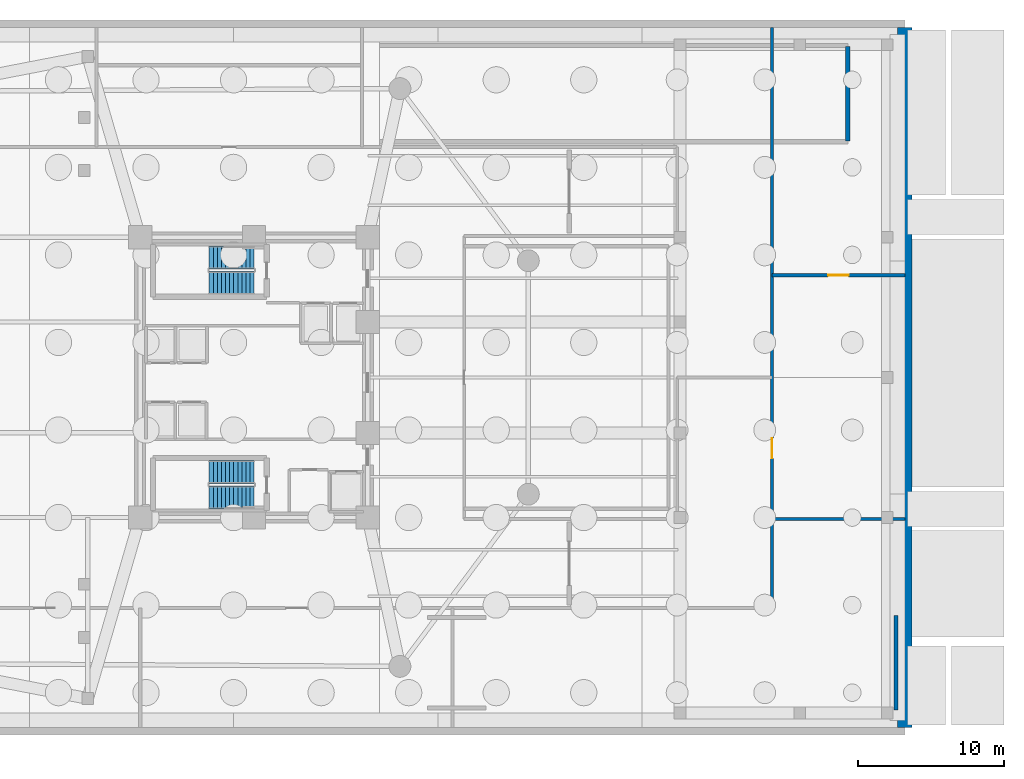
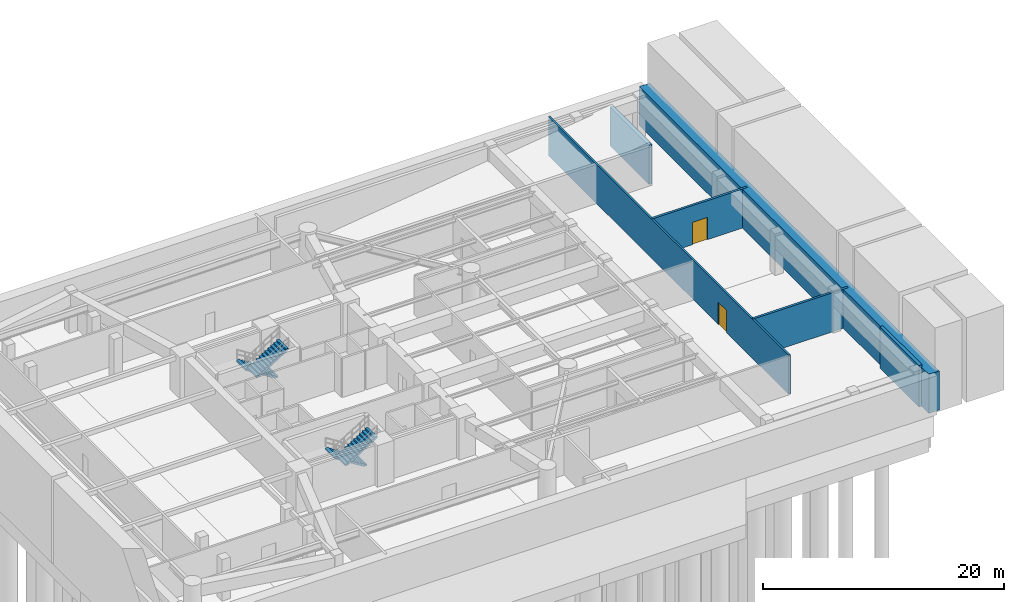
# One storey, part 6 of 8: 6 walls, 4 stair flights, 2 doors, 2 openings, 2 elements without a shape of their own.
"""IFC4 building model written with IfcOpenShell, lengths in metres."""

from ifc_helpers import new_model, si_unit, direction, frame, frame_2d, origin, place, context, subcontext, project, spatial, polyline, rectangle, outline, extrude, material, layer, layer_set, type_object, element, fill, aggregate, save


model = new_model("IFC4")

# Units and contexts
model_context = context("Model", 3, precision=1e-05, world=origin(), true_north=direction((0.0, 1.0)))
body_context = subcontext(model_context, "Body", "Model", "MODEL_VIEW")
ifc_project = project(units=[si_unit("LENGTHUNIT", "METRE"), si_unit("AREAUNIT", "SQUARE_METRE"), si_unit("VOLUMEUNIT", "CUBIC_METRE"), si_unit("PLANEANGLEUNIT", "RADIAN"), si_unit("MASSUNIT", "GRAM", prefix="KILO")], contexts=[model_context])

# Site, building, storey
site_placement = place(None, origin())
site = spatial("IfcSite", under=ifc_project, at=site_placement, CompositionType="ELEMENT")
building_placement = place(site_placement, origin())
building = spatial("IfcBuilding", under=site, at=building_placement, Name="An Khanh Terracotta Commons", CompositionType="ELEMENT")
storey_placement = place(building_placement, frame((0.0, 0.0, -8.39990234375)))
storey = spatial("IfcBuildingStorey", under=building, at=storey_placement, Name="B02", CompositionType="ELEMENT", Elevation=-8.39990234375)

# Wall, opening, door
ifc_material_1 = material(Name="Fire-Rated Gypsum Board on Steel Stud", Category="steel")
ifc_layer_1 = layer(ifc_material_1, 0.179931640625, Name="Fire-Rated Gypsum Board on Steel Stud")
ifc_layer_set_1 = layer_set([ifc_layer_1], Name="Fire-Rated Gypsum Board on Steel Stud")
wall_type_1 = type_object("IfcWallType", Name="WALL-CORR-180", PredefinedType="PARTITIONING", material=ifc_layer_set_1)
wall_1_placement = place(storey_placement, frame((64.89990234375, 8.199951171875, 0.0), z_axis=(0.0, 0.0, 1.0), x_axis=(0.0, 1.0, 0.0)))
wall_1 = element("IfcWall", 1, at=wall_1_placement, inside=storey, type_object=wall_type_1, Name="B02 Interior Partition IW-B02-E022", PredefinedType="PARTITIONING", context=body_context, shape_type="SweptSolid", body=[
    extrude(rectangle(XDim=39.800048828125, YDim=0.179931640625, at=frame_2d((19.89990234375, 0.0))), origin(), (0.0, 0.0, 1.0), 3.949951171875),
])
opening_1_placement = place(wall_1_placement, frame((10.25, 0.0, 0.0)))
opening_1 = element("IfcOpeningElement", 2, at=opening_1_placement, cuts=wall_1, Name="Opening D-PL", PredefinedType="OPENING", context=body_context, shape_type="SweptSolid", body=[
    extrude(rectangle(XDim=1.39990234375, YDim=2.25, at=frame_2d((0.699951171875, 1.125))), frame((0.0, 0.099853515625, 0.0), z_axis=(0.0, -1.0, 0.0), x_axis=(1.0, 0.0, 0.0)), (0.0, 0.0, 1.0), 0.199951171875),
])
ifc_material_2 = material(Name="Heavy-Duty Acoustic Steel Double Plant Door", Category="steel")
door_type = type_object("IfcDoorType", Name="DOOR-PLANT-1400", OperationType="NOTDEFINED", PredefinedType="DOOR", material=ifc_material_2)
door_1_placement = place(opening_1_placement, origin())
door_1 = element("IfcDoor", 3, at=door_1_placement, inside=storey, type_object=door_type, Name="B02 PMP Fire Sprinkler and Booster Pump Room Door", OperationType="DOUBLE_DOOR_SINGLE_SWING", OverallHeight=2.25, OverallWidth=1.39990234375, PredefinedType="DOOR", context=body_context, shape_type="SweptSolid", body=[
    extrude(rectangle(XDim=1.39990234375, YDim=2.25, at=frame_2d((0.699951171875, 1.125))), frame((0.0, 0.02490234375, 0.0), z_axis=(0.0, -1.0, 0.0), x_axis=(1.0, 0.0, 0.0)), (0.0, 0.0, 1.0), 0.050048828125),
])
fill(opening_1, door_1)

# Walls
ifc_material_3 = material(Name="Concrete C50/60", Category="concrete")
ifc_layer_2 = layer(ifc_material_3, 1.0, Name="Concrete C50/60")
ifc_layer_set_2 = layer_set([ifc_layer_2], Name="Concrete C50/60")
wall_type_2 = type_object("IfcWallType", Name="WALL-DIAPH-1000", PredefinedType="SOLIDWALL", material=ifc_layer_set_2)
wall_2_placement = place(storey_placement, frame((74.0, 0.0, 0.0), z_axis=(0.0, 0.0, 1.0), x_axis=(0.0, 1.0, 0.0)))
element("IfcWall", 4, at=wall_2_placement, inside=storey, type_object=wall_type_2, Name="B02 Perimeter Diaphragm Wall 2", PredefinedType="SOLIDWALL", context=body_context, shape_type="SweptSolid", body=[
    extrude(rectangle(XDim=48.0, YDim=1.0, at=frame_2d((24.0, 0.0))), origin(), (0.0, 0.0, 1.0), 3.949951171875),
])
ifc_material_4 = material(Name="Acoustic Double-Stud Gypsum and Mineral Wool")
ifc_layer_3 = layer(ifc_material_4, 0.219970703125, Name="Acoustic Double-Stud Gypsum and Mineral Wool")
ifc_layer_set_3 = layer_set([ifc_layer_3], Name="Acoustic Double-Stud Gypsum and Mineral Wool")
wall_type_3 = type_object("IfcWallType", Name="WALL-PARTY-220", PredefinedType="PARTITIONING", material=ifc_layer_set_3)
wall_3_placement = place(storey_placement, frame((64.89990234375, 14.300048828125, 0.0), z_axis=(0.0, 0.0, 1.0), x_axis=(1.0, 0.0, 0.0)))
element("IfcWall", 5, at=wall_3_placement, inside=storey, type_object=wall_type_3, Name="B02 Interior Partition IW-B02-E004", PredefinedType="PARTITIONING", context=body_context, shape_type="SweptSolid", body=[
    extrude(rectangle(XDim=9.10009765625, YDim=0.219970703125, at=frame_2d((4.550048828125, 0.0))), origin(), (0.0, 0.0, 1.0), 3.949951171875),
])

# Wall, opening, door
wall_4_placement = place(storey_placement, frame((64.89990234375, 31.0, 0.0), z_axis=(0.0, 0.0, 1.0), x_axis=(1.0, 0.0, 0.0)))
wall_4 = element("IfcWall", 6, at=wall_4_placement, inside=storey, type_object=wall_type_3, Name="B02 Interior Partition IW-B02-E007", PredefinedType="PARTITIONING", context=body_context, shape_type="SweptSolid", body=[
    extrude(rectangle(XDim=9.10009765625, YDim=0.219970703125, at=frame_2d((4.550048828125, 0.0))), origin(), (0.0, 0.0, 1.0), 3.949951171875),
])
opening_2_placement = place(wall_4_placement, frame((3.85009765625, 0.0, 0.0)))
opening_2 = element("IfcOpeningElement", 7, at=opening_2_placement, cuts=wall_4, Name="Opening D-PL", PredefinedType="OPENING", context=body_context, shape_type="SweptSolid", body=[
    extrude(rectangle(XDim=1.39990234375, YDim=2.25, at=frame_2d((0.699951171875, 1.125))), frame((0.0, 0.119873046875, 0.0), z_axis=(0.0, -1.0, 0.0), x_axis=(1.0, 0.0, 0.0)), (0.0, 0.0, 1.0), 0.239990234375),
])
door_2_placement = place(opening_2_placement, origin())
door_2 = element("IfcDoor", 8, at=door_2_placement, inside=storey, type_object=door_type, Name="B02 CHL Basement Chiller and Attenuation Plant Room Door", OperationType="DOUBLE_DOOR_SINGLE_SWING", OverallHeight=2.25, OverallWidth=1.39990234375, PredefinedType="DOOR", context=body_context, shape_type="SweptSolid", body=[
    extrude(rectangle(XDim=1.39990234375, YDim=2.25, at=frame_2d((0.699951171875, 1.125))), frame((0.0, 0.02490234375, 0.0), z_axis=(0.0, -1.0, 0.0), x_axis=(1.0, 0.0, 0.0)), (0.0, 0.0, 1.0), 0.050048828125),
])
fill(opening_2, door_2)

# Walls
ifc_material_5 = material(Name="Concrete C40/50", Category="concrete")
ifc_layer_4 = layer(ifc_material_5, 0.300048828125, Name="Concrete C40/50")
ifc_layer_set_4 = layer_set([ifc_layer_4], Name="Concrete C40/50")
wall_type_4 = type_object("IfcWallType", Name="WALL-RAMP-300", PredefinedType="SOLIDWALL", material=ifc_layer_set_4)
wall_5_placement = place(storey_placement, frame((70.10009765625, 40.199951171875, 0.0), z_axis=(0.0, 0.0, 1.0), x_axis=(0.0, 1.0, 0.0)))
element("IfcWall", 9, at=wall_5_placement, inside=storey, type_object=wall_type_4, Name="B02 Ramp Top Bearing Wall", PredefinedType="SOLIDWALL", context=body_context, shape_type="SweptSolid", body=[
    extrude(rectangle(XDim=6.5, YDim=0.300048828125, at=frame_2d((3.25, 0.0))), origin(), (0.0, 0.0, 1.0), 3.949951171875),
])
wall_6_placement = place(storey_placement, frame((73.39990234375, 1.199951171875, 0.0), z_axis=(0.0, 0.0, 1.0), x_axis=(0.0, 1.0, 0.0)))
element("IfcWall", 10, at=wall_6_placement, inside=storey, type_object=wall_type_4, Name="B02 Grade Ramp Sub-Abutment Bearing Wall", PredefinedType="SOLIDWALL", context=body_context, shape_type="SweptSolid", body=[
    extrude(rectangle(XDim=6.5, YDim=0.300048828125, at=frame_2d((3.25, 0.0))), origin(), (0.0, 0.0, 1.0), 4.199951171875),
])

# Stair, stair flights
ifc_material_6 = material(Name="Precast concrete C40/50", Category="concrete")
stair_type = type_object("IfcStairType", Name="STAIR-CORE-1550", PredefinedType="HALF_TURN_STAIR", material=ifc_material_6)
stair_1_placement = place(storey_placement, origin())
stair_1 = element("IfcStair", 11, at=stair_1_placement, inside=storey, type_object=stair_type, Name="B02 Core Smokeproof Exit Stair ST-01", PredefinedType="HALF_TURN_STAIR")
stair_flight_type = type_object("IfcStairFlightType", Name="FLIGHT-CORE-1550", PredefinedType="STRAIGHT", material=ifc_material_6)
stair_flight_1_placement = place(storey_placement, frame((29.409912109375, 32.22509765625, 0.0), z_axis=(0.0, 0.0, 1.0), x_axis=(-1.0, 0.0, 0.0)))
stair_flight_1 = element("IfcStairFlight", 12, at=stair_flight_1_placement, type_object=stair_flight_type, Name="ST-01 flight 1", NumberOfRisers=12, NumberOfTreads=11, PredefinedType="STRAIGHT", RiserHeight=0.175, TreadLength=0.28, context=body_context, shape_type="SweptSolid", body=[
    extrude(outline(polyline([(0.0, 0.0), (0.0, 0.175048828125), (0.280029296875, 0.175048828125), (0.280029296875, 0.35009765625), (0.56005859375, 0.35009765625), (0.56005859375, 0.52490234375), (0.840087890625, 0.52490234375), (0.840087890625, 0.699951171875), (1.1201171875, 0.699951171875), (1.1201171875, 0.875), (1.39990234375, 0.875), (1.39990234375, 1.050048828125), (1.679931640625, 1.050048828125), (1.679931640625, 1.22509765625), (1.9599609375, 1.22509765625), (1.9599609375, 1.39990234375), (2.239990234375, 1.39990234375), (2.239990234375, 1.574951171875), (2.52001953125, 1.574951171875), (2.52001953125, 1.75), (2.800048828125, 1.75), (2.800048828125, 1.925048828125), (3.080078125, 1.925048828125), (3.080078125, 2.10009765625), (3.080078125, 1.748291015625), (0.28271484375, 0.0), (0.0, 0.0)])), frame((0.0, 0.77490234375, 0.0), z_axis=(0.0, -1.0, 0.0), x_axis=(1.0, 0.0, 0.0)), (0.0, 0.0, 1.0), 1.550048828125),
])
stair_flight_2_placement = place(storey_placement, frame((26.330078125, 30.47509765625, 2.099853515625), z_axis=(0.0, 0.0, 1.0), x_axis=(1.0, 0.0, 0.0)))
stair_flight_2 = element("IfcStairFlight", 13, at=stair_flight_2_placement, type_object=stair_flight_type, Name="ST-01 flight 2", NumberOfRisers=12, NumberOfTreads=11, PredefinedType="STRAIGHT", RiserHeight=0.175, TreadLength=0.28, context=body_context, shape_type="SweptSolid", body=[
    extrude(outline(polyline([(0.0, 0.0), (0.0, 0.175048828125), (0.280029296875, 0.175048828125), (0.280029296875, 0.35009765625), (0.56005859375, 0.35009765625), (0.56005859375, 0.52490234375), (0.840087890625, 0.52490234375), (0.840087890625, 0.699951171875), (1.1201171875, 0.699951171875), (1.1201171875, 0.875), (1.39990234375, 0.875), (1.39990234375, 1.050048828125), (1.679931640625, 1.050048828125), (1.679931640625, 1.22509765625), (1.9599609375, 1.22509765625), (1.9599609375, 1.39990234375), (2.239990234375, 1.39990234375), (2.239990234375, 1.574951171875), (2.52001953125, 1.574951171875), (2.52001953125, 1.75), (2.800048828125, 1.75), (2.800048828125, 1.925048828125), (3.080078125, 1.925048828125), (3.080078125, 2.10009765625), (3.080078125, 1.748291015625), (0.28271484375, 0.0), (0.0, 0.0)])), frame((0.0, 0.77490234375, 0.0), z_axis=(0.0, -1.0, 0.0), x_axis=(1.0, 0.0, 0.0)), (0.0, 0.0, 1.0), 1.550048828125),
])
aggregate(stair_1, [stair_flight_1, stair_flight_2])

stair_2_placement = place(storey_placement, origin())
stair_2 = element("IfcStair", 14, at=stair_2_placement, inside=storey, type_object=stair_type, Name="B02 Core Smokeproof Exit Stair ST-02", PredefinedType="HALF_TURN_STAIR")
stair_flight_3_placement = place(storey_placement, frame((29.409912109375, 17.52490234375, 0.0), z_axis=(0.0, 0.0, 1.0), x_axis=(-1.0, 0.0, 0.0)))
stair_flight_3 = element("IfcStairFlight", 15, at=stair_flight_3_placement, type_object=stair_flight_type, Name="ST-02 flight 1", NumberOfRisers=12, NumberOfTreads=11, PredefinedType="STRAIGHT", RiserHeight=0.175, TreadLength=0.28, context=body_context, shape_type="SweptSolid", body=[
    extrude(outline(polyline([(0.0, 0.0), (0.0, 0.175048828125), (0.280029296875, 0.175048828125), (0.280029296875, 0.35009765625), (0.56005859375, 0.35009765625), (0.56005859375, 0.52490234375), (0.840087890625, 0.52490234375), (0.840087890625, 0.699951171875), (1.1201171875, 0.699951171875), (1.1201171875, 0.875), (1.39990234375, 0.875), (1.39990234375, 1.050048828125), (1.679931640625, 1.050048828125), (1.679931640625, 1.22509765625), (1.9599609375, 1.22509765625), (1.9599609375, 1.39990234375), (2.239990234375, 1.39990234375), (2.239990234375, 1.574951171875), (2.52001953125, 1.574951171875), (2.52001953125, 1.75), (2.800048828125, 1.75), (2.800048828125, 1.925048828125), (3.080078125, 1.925048828125), (3.080078125, 2.10009765625), (3.080078125, 1.748291015625), (0.28271484375, 0.0), (0.0, 0.0)])), frame((0.0, 0.77490234375, 0.0), z_axis=(0.0, -1.0, 0.0), x_axis=(1.0, 0.0, 0.0)), (0.0, 0.0, 1.0), 1.550048828125),
])
stair_flight_4_placement = place(storey_placement, frame((26.330078125, 15.77490234375, 2.099853515625), z_axis=(0.0, 0.0, 1.0), x_axis=(1.0, 0.0, 0.0)))
stair_flight_4 = element("IfcStairFlight", 16, at=stair_flight_4_placement, type_object=stair_flight_type, Name="ST-02 flight 2", NumberOfRisers=12, NumberOfTreads=11, PredefinedType="STRAIGHT", RiserHeight=0.175, TreadLength=0.28, context=body_context, shape_type="SweptSolid", body=[
    extrude(outline(polyline([(0.0, 0.0), (0.0, 0.175048828125), (0.280029296875, 0.175048828125), (0.280029296875, 0.35009765625), (0.56005859375, 0.35009765625), (0.56005859375, 0.52490234375), (0.840087890625, 0.52490234375), (0.840087890625, 0.699951171875), (1.1201171875, 0.699951171875), (1.1201171875, 0.875), (1.39990234375, 0.875), (1.39990234375, 1.050048828125), (1.679931640625, 1.050048828125), (1.679931640625, 1.22509765625), (1.9599609375, 1.22509765625), (1.9599609375, 1.39990234375), (2.239990234375, 1.39990234375), (2.239990234375, 1.574951171875), (2.52001953125, 1.574951171875), (2.52001953125, 1.75), (2.800048828125, 1.75), (2.800048828125, 1.925048828125), (3.080078125, 1.925048828125), (3.080078125, 2.10009765625), (3.080078125, 1.748291015625), (0.28271484375, 0.0), (0.0, 0.0)])), frame((0.0, 0.77490234375, 0.0), z_axis=(0.0, -1.0, 0.0), x_axis=(1.0, 0.0, 0.0)), (0.0, 0.0, 1.0), 1.550048828125),
])
aggregate(stair_2, [stair_flight_3, stair_flight_4])

save(model, "model.ifc")
